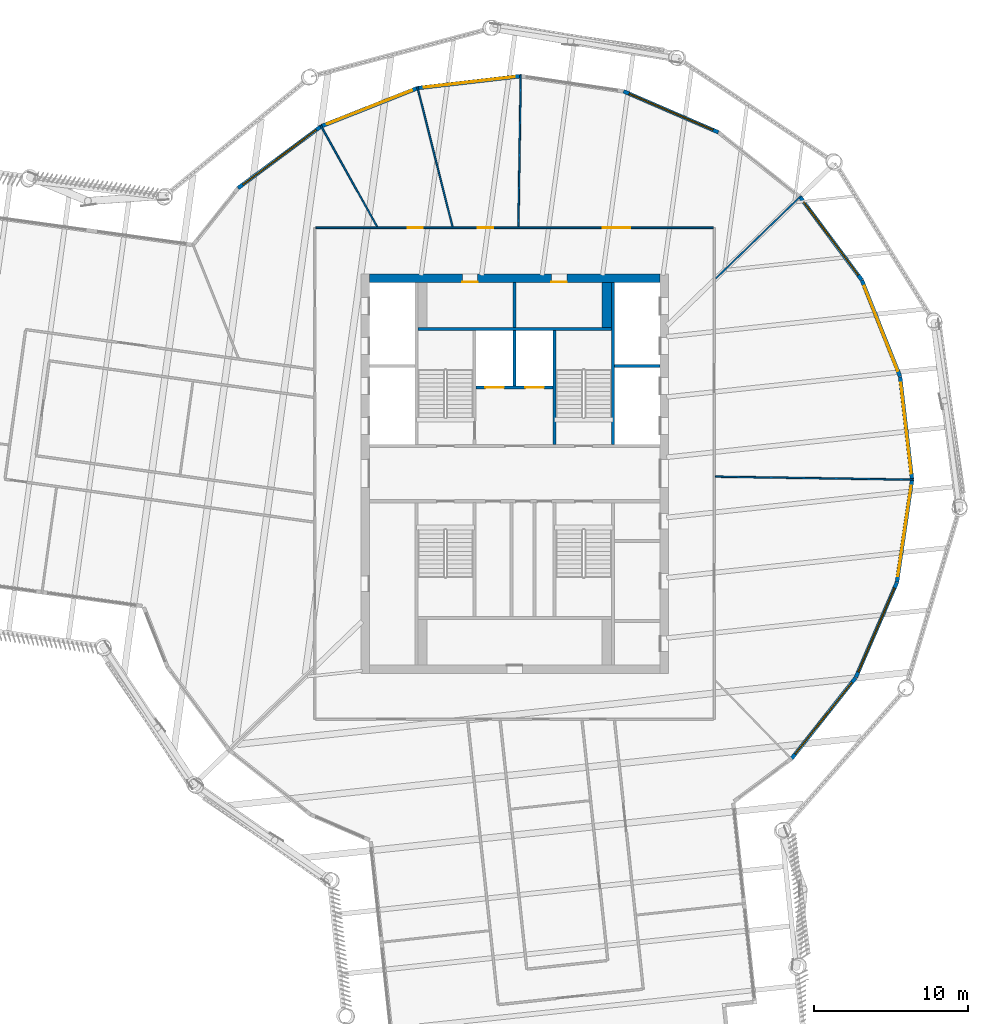
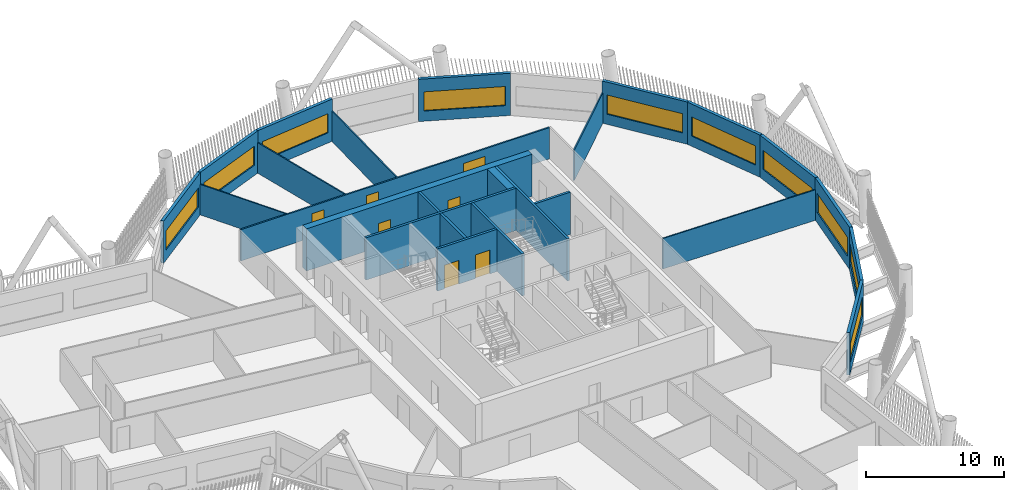
# One storey, part 6 of 21: 25 walls, 10 windows, 7 doors, 17 openings.
"""IFC4 building model written with IfcOpenShell, lengths in metres."""

from ifc_helpers import new_model, si_unit, direction, frame, frame_2d, origin, place, context, subcontext, project, spatial, rectangle, extrude, material, layer, layer_set, type_object, element, fill, save


model = new_model("IFC4")

# Units and contexts
model_context = context("Model", 3, precision=1e-05, world=origin(), true_north=direction((0.0, 1.0)))
body_context = subcontext(model_context, "Body", "Model", "MODEL_VIEW")
ifc_project = project(units=[si_unit("LENGTHUNIT", "METRE"), si_unit("AREAUNIT", "SQUARE_METRE"), si_unit("VOLUMEUNIT", "CUBIC_METRE"), si_unit("PLANEANGLEUNIT", "RADIAN"), si_unit("MASSUNIT", "GRAM", prefix="KILO")], contexts=[model_context])

# Site, building, storey
site_placement = place(None, origin())
site = spatial("IfcSite", under=ifc_project, at=site_placement, CompositionType="ELEMENT")
building_placement = place(site_placement, origin())
building = spatial("IfcBuilding", under=site, at=building_placement, Name="Tarsis Ring Headquarters", CompositionType="ELEMENT")
storey_placement = place(building_placement, frame((0.0, 0.0, 255.199951171875)))
storey = spatial("IfcBuildingStorey", under=building, at=storey_placement, Name="L59", CompositionType="ELEMENT", Elevation=255.199951171875)

# Wall
ifc_material_1 = material(Name="Blockwork", Category="masonry")
ifc_layer_1 = layer(ifc_material_1, 0.199951171875)
ifc_layer_set_1 = layer_set([ifc_layer_1], Name="Core blockwork wall 200")
wall_type_1 = type_object("IfcWallType", Name="Core blockwork wall 200", PredefinedType="PARTITIONING", material=ifc_layer_set_1)
wall_1_placement = place(storey_placement, frame((0.0, 9.5, 0.0), z_axis=(0.0, 0.0, 1.0), x_axis=(0.0, 1.0, 0.0)))
element("IfcWall", 1, at=wall_1_placement, inside=storey, type_object=wall_type_1, Name="Core partition ND2", PredefinedType="PARTITIONING", context=body_context, shape_type="SweptSolid", body=[
    extrude(rectangle(XDim=2.949951171875, YDim=0.199951171875, at=frame_2d((1.47509765625, 0.0))), origin(), (0.0, 0.0, 1.0), 3.739990234375),
])

# Wall, openings, doors
ifc_material_2 = material(Name="Concrete C50/60", Category="concrete")
ifc_layer_2 = layer(ifc_material_2, 0.550048828125)
ifc_layer_set_2 = layer_set([ifc_layer_2], Name="Core wall 550 C50/60")
wall_type_2 = type_object("IfcWallType", Name="Core wall 550 C50/60", PredefinedType="SHEAR", material=ifc_layer_set_2)
wall_2_placement = place(storey_placement, frame((-9.449951171875, 12.72509765625, 0.0), z_axis=(0.0, 0.0, 1.0), x_axis=(1.0, 0.0, 0.0)))
wall_2 = element("IfcWall", 2, at=wall_2_placement, inside=storey, type_object=wall_type_2, Name="Core wall ON", PredefinedType="SHEAR", context=body_context, shape_type="SweptSolid", body=[
    extrude(rectangle(XDim=18.89990234375, YDim=0.550048828125, at=frame_2d((9.449951171875, 0.0))), origin(), (0.0, 0.0, 1.0), 3.739990234375),
])
opening_1_placement = place(wall_2_placement, frame((6.050048828125, 0.0, 0.0)))
opening_1 = element("IfcOpeningElement", 3, at=opening_1_placement, cuts=wall_2, Name="Opening L59-C15", PredefinedType="OPENING", context=body_context, shape_type="SweptSolid", body=[
    extrude(rectangle(XDim=1.0, YDim=2.10009765625, at=frame_2d((0.5, 1.050048828125))), frame((0.0, 0.284912109375, 0.0), z_axis=(0.0, -1.0, 0.0), x_axis=(1.0, 0.0, 0.0)), (0.0, 0.0, 1.0), 0.570068359375),
])
opening_2_placement = place(wall_2_placement, frame((11.85009765625, 0.0, 0.0)))
opening_2 = element("IfcOpeningElement", 4, at=opening_2_placement, cuts=wall_2, Name="Opening L59-C16", PredefinedType="OPENING", context=body_context, shape_type="SweptSolid", body=[
    extrude(rectangle(XDim=1.0, YDim=2.10009765625, at=frame_2d((0.5, 1.050048828125))), frame((0.0, 0.284912109375, 0.0), z_axis=(0.0, -1.0, 0.0), x_axis=(1.0, 0.0, 0.0)), (0.0, 0.0, 1.0), 0.570068359375),
])
ifc_material_3 = material(Name="Steel S355", Category="steel")
door_type_1 = type_object("IfcDoorType", Name="Core room door 1000x2100", OperationType="SINGLE_SWING_LEFT", PredefinedType="DOOR", material=ifc_material_3)
door_1_placement = place(opening_1_placement, origin())
door_1 = element("IfcDoor", 5, at=door_1_placement, inside=storey, type_object=door_type_1, Name="Core room door L59", OperationType="SINGLE_SWING_LEFT", OverallHeight=2.10009765625, OverallWidth=1.0, PredefinedType="DOOR", context=body_context, shape_type="SweptSolid", body=[
    extrude(rectangle(XDim=1.0, YDim=2.10009765625, at=frame_2d((0.5, 1.050048828125))), frame((0.0, -0.22509765625, 0.0), z_axis=(0.0, -1.0, 0.0), x_axis=(1.0, 0.0, 0.0)), (0.0, 0.0, 1.0), 0.050048828125),
])
fill(opening_1, door_1)
door_2_placement = place(opening_2_placement, origin())
door_2 = element("IfcDoor", 6, at=door_2_placement, inside=storey, type_object=door_type_1, Name="Core room door L59", OperationType="SINGLE_SWING_LEFT", OverallHeight=2.10009765625, OverallWidth=1.0, PredefinedType="DOOR", context=body_context, shape_type="SweptSolid", body=[
    extrude(rectangle(XDim=1.0, YDim=2.10009765625, at=frame_2d((0.5, 1.050048828125))), frame((0.0, -0.22509765625, 0.0), z_axis=(0.0, -1.0, 0.0), x_axis=(1.0, 0.0, 0.0)), (0.0, 0.0, 1.0), 0.050048828125),
])
fill(opening_2, door_2)

# Walls
ifc_material_4 = material(Name="Gypsum board on steel studs", Category="steel")
ifc_layer_3 = layer(ifc_material_4, 0.10009765625)
ifc_layer_set_3 = layer_set([ifc_layer_3], Name="FL partition 100 unrated")
wall_type_3 = type_object("IfcWallType", Name="FL partition 100 unrated", PredefinedType="PARTITIONING", material=ifc_layer_set_3)
wall_3_placement = place(storey_placement, frame((13.070068359375, -0.20068359375, 0.0), z_axis=(0.0, 0.0, 1.0), x_axis=(0.999882058865, -0.015358006403, 0.0)))
element("IfcWall", 7, at=wall_3_placement, inside=storey, type_object=wall_type_3, Name="Partition PW3", PredefinedType="PARTITIONING", context=body_context, shape_type="SweptSolid", body=[
    extrude(rectangle(XDim=12.876220703125, YDim=0.10009765625, at=frame_2d((6.43798828125, 0.0))), origin(), (0.0, 0.0, 1.0), 2.699951171875),
])
wall_4_placement = place(storey_placement, frame((0.246826171875, 16.070068359375, 0.0), z_axis=(0.0, 0.0, 1.0), x_axis=(0.015351616177, 0.999882156997, 0.0)))
element("IfcWall", 8, at=wall_4_placement, inside=storey, type_object=wall_type_3, Name="Partition PW3", PredefinedType="PARTITIONING", context=body_context, shape_type="SweptSolid", body=[
    extrude(rectangle(XDim=9.8759765625, YDim=0.10009765625, at=frame_2d((4.93798828125, 0.0))), origin(), (0.0, 0.0, 1.0), 2.699951171875),
])
wall_5_placement = place(storey_placement, frame((-6.330078125, 25.163818359375, 0.0), z_axis=(0.0, 0.0, 1.0), x_axis=(0.243950156774, -0.969787771118, 0.0)))
element("IfcWall", 9, at=wall_5_placement, inside=storey, type_object=wall_type_3, Name="Partition PW3", PredefinedType="PARTITIONING", context=body_context, shape_type="SweptSolid", body=[
    extrude(rectangle(XDim=9.37939453125, YDim=0.10009765625, at=frame_2d((4.689697265625, 0.0))), origin(), (0.0, 0.0, 1.0), 2.699951171875),
])
wall_6_placement = place(storey_placement, frame((13.086181640625, 12.690185546875, 0.0), z_axis=(0.0, 0.0, 1.0), x_axis=(0.717872132276, 0.696174979227, 0.0)))
element("IfcWall", 10, at=wall_6_placement, inside=storey, type_object=wall_type_3, Name="Partition PW3", PredefinedType="PARTITIONING", context=body_context, shape_type="SweptSolid", body=[
    extrude(rectangle(XDim=7.718994140625, YDim=0.10009765625, at=frame_2d((3.859375, 0.0))), origin(), (0.0, 0.0, 1.0), 2.699951171875),
])
wall_7_placement = place(storey_placement, frame((-12.627197265625, 22.668212890625, 0.0), z_axis=(0.0, 0.0, 1.0), x_axis=(0.486631939101, -0.873607094664, 0.0)))
element("IfcWall", 11, at=wall_7_placement, inside=storey, type_object=wall_type_3, Name="Partition PW3", PredefinedType="PARTITIONING", context=body_context, shape_type="SweptSolid", body=[
    extrude(rectangle(XDim=7.54296875, YDim=0.10009765625, at=frame_2d((3.771484375, 0.0))), origin(), (0.0, 0.0, 1.0), 2.699951171875),
])

# Wall, openings, doors
ifc_layer_4 = layer(ifc_material_4, 0.125)
ifc_layer_set_4 = layer_set([ifc_layer_4], Name="FL partition 125 EI 60 H2770")
wall_type_4 = type_object("IfcWallType", Name="FL partition 125 EI 60 H2770", PredefinedType="PARTITIONING", material=ifc_layer_set_4)
wall_8_placement = place(storey_placement, frame((-12.93994140625, 16.0, 0.0), z_axis=(0.0, 0.0, 1.0), x_axis=(1.0, 0.0, 0.0)))
wall_8 = element("IfcWall", 12, at=wall_8_placement, inside=storey, type_object=wall_type_4, Name="Partition PW1", PredefinedType="PARTITIONING", context=body_context, shape_type="SweptSolid", body=[
    extrude(rectangle(XDim=25.8798828125, YDim=0.125, at=frame_2d((12.93994140625, 0.0))), origin(), (0.0, 0.0, 1.0), 2.77001953125),
])
opening_3_placement = place(wall_8_placement, frame((5.97119140625, 0.0, 0.0)))
opening_3 = element("IfcOpeningElement", 13, at=opening_3_placement, cuts=wall_8, Name="Opening D59.04", PredefinedType="OPENING", context=body_context, shape_type="SweptSolid", body=[
    extrude(rectangle(XDim=1.0, YDim=2.10009765625, at=frame_2d((0.5, 1.050048828125))), frame((0.0, 0.072509765625, 0.0), z_axis=(0.0, -1.0, 0.0), x_axis=(1.0, 0.0, 0.0)), (0.0, 0.0, 1.0), 0.14501953125),
])
opening_4_placement = place(wall_8_placement, frame((10.550537109375, 0.0, 0.0)))
opening_4 = element("IfcOpeningElement", 14, at=opening_4_placement, cuts=wall_8, Name="Opening D59.05", PredefinedType="OPENING", context=body_context, shape_type="SweptSolid", body=[
    extrude(rectangle(XDim=1.0, YDim=2.10009765625, at=frame_2d((0.5, 1.050048828125))), frame((0.0, 0.072509765625, 0.0), z_axis=(0.0, -1.0, 0.0), x_axis=(1.0, 0.0, 0.0)), (0.0, 0.0, 1.0), 0.14501953125),
])
opening_5_placement = place(wall_8_placement, frame((18.662841796875, 0.0, 0.0)))
opening_5 = element("IfcOpeningElement", 15, at=opening_5_placement, cuts=wall_8, Name="Opening D59.06", PredefinedType="OPENING", context=body_context, shape_type="SweptSolid", body=[
    extrude(rectangle(XDim=1.800048828125, YDim=2.10009765625, at=frame_2d((0.89990234375, 1.050048828125))), frame((0.0, 0.072509765625, 0.0), z_axis=(0.0, -1.0, 0.0), x_axis=(1.0, 0.0, 0.0)), (0.0, 0.0, 1.0), 0.14501953125),
])
ifc_material_5 = material(Name="Fire-rated timber door leaf in steel frame", Category="steel")
door_type_2 = type_object("IfcDoorType", Name="FL door FD60-1000", OperationType="NOTDEFINED", PredefinedType="DOOR", material=ifc_material_5)
door_3_placement = place(opening_3_placement, origin())
door_3 = element("IfcDoor", 16, at=door_3_placement, inside=storey, type_object=door_type_2, Name="Door D59.04", OperationType="SINGLE_SWING_LEFT", OverallHeight=2.10009765625, OverallWidth=1.0, PredefinedType="DOOR", context=body_context, shape_type="SweptSolid", body=[
    extrude(rectangle(XDim=1.0, YDim=2.10009765625, at=frame_2d((0.5, 1.050048828125))), frame((0.0, 0.02490234375, 0.0), z_axis=(0.0, -1.0, 0.0), x_axis=(1.0, 0.0, 0.0)), (0.0, 0.0, 1.0), 0.050048828125),
])
fill(opening_3, door_3)
door_4_placement = place(opening_4_placement, origin())
door_4 = element("IfcDoor", 17, at=door_4_placement, inside=storey, type_object=door_type_2, Name="Door D59.05", OperationType="SINGLE_SWING_RIGHT", OverallHeight=2.10009765625, OverallWidth=1.0, PredefinedType="DOOR", context=body_context, shape_type="SweptSolid", body=[
    extrude(rectangle(XDim=1.0, YDim=2.10009765625, at=frame_2d((0.5, 1.050048828125))), frame((0.0, 0.02490234375, 0.0), z_axis=(0.0, -1.0, 0.0), x_axis=(1.0, 0.0, 0.0)), (0.0, 0.0, 1.0), 0.050048828125),
])
fill(opening_4, door_4)
door_type_3 = type_object("IfcDoorType", Name="FL door FD60-1800", OperationType="DOUBLE_DOOR_SINGLE_SWING", PredefinedType="DOOR", material=ifc_material_5)
door_5_placement = place(opening_5_placement, origin())
door_5 = element("IfcDoor", 18, at=door_5_placement, inside=storey, type_object=door_type_3, Name="Door D59.06", OperationType="DOUBLE_DOOR_SINGLE_SWING", OverallHeight=2.10009765625, OverallWidth=1.800048828125, PredefinedType="DOOR", context=body_context, shape_type="SweptSolid", body=[
    extrude(rectangle(XDim=1.800048828125, YDim=2.10009765625, at=frame_2d((0.89990234375, 1.050048828125))), frame((0.0, 0.02490234375, 0.0), z_axis=(0.0, -1.0, 0.0), x_axis=(1.0, 0.0, 0.0)), (0.0, 0.0, 1.0), 0.050048828125),
])
fill(opening_5, door_5)

# Wall, opening, window
ifc_material_6 = material(Name="Terracotta clad insulated panel wall", Category="masonry")
ifc_layer_5 = layer(ifc_material_6, 0.25)
ifc_layer_set_5 = layer_set([ifc_layer_5], Name="Facade wall terracotta panel 250")
wall_type_5 = type_object("IfcWallType", Name="Facade wall terracotta panel 250", PredefinedType="STANDARD", material=ifc_layer_set_5)
wall_9_placement = place(storey_placement, frame((18.022705078125, -18.5615234375, 0.0), z_axis=(0.0, 0.0, 1.0), x_axis=(0.620864813543, 0.783917650844, 0.0)))
wall_9 = element("IfcWall", 19, at=wall_9_placement, inside=storey, type_object=wall_type_5, Name="External wall L59-18", PredefinedType="STANDARD", context=body_context, shape_type="SweptSolid", body=[
    extrude(rectangle(XDim=6.721435546875, YDim=0.25, at=frame_2d((3.36083984375, 0.0))), origin(), (0.0, 0.0, 1.0), 3.739990234375),
])
opening_6_placement = place(wall_9_placement, frame((0.3857421875, 0.0, 0.89990234375)))
opening_6 = element("IfcOpeningElement", 20, at=opening_6_placement, cuts=wall_9, Name="Opening WN07", PredefinedType="OPENING", context=body_context, shape_type="SweptSolid", body=[
    extrude(rectangle(XDim=5.949951171875, YDim=1.699951171875, at=frame_2d((2.97509765625, 0.85009765625))), frame((0.0, 0.135009765625, 0.0), z_axis=(0.0, -1.0, 0.0), x_axis=(1.0, 0.0, 0.0)), (0.0, 0.0, 1.0), 0.27001953125),
])
ifc_material_7 = material(Name="Aluminium framed double glazing", Category="aluminium")
window_type = type_object("IfcWindowType", Name="Facade window 5950 x 1700", PartitioningType="SINGLE_PANEL", PredefinedType="WINDOW", material=ifc_material_7)
window_1_placement = place(opening_6_placement, origin())
window_1 = element("IfcWindow", 21, at=window_1_placement, inside=storey, type_object=window_type, Name="Window L59-18.1", OverallHeight=1.699951171875, OverallWidth=5.949951171875, PartitioningType="SINGLE_PANEL", PredefinedType="WINDOW", context=body_context, shape_type="SweptSolid", body=[
    extrude(rectangle(XDim=5.949951171875, YDim=1.699951171875, at=frame_2d((2.97509765625, 0.85009765625))), frame((0.0, 0.030029296875, 0.0), z_axis=(0.0, -1.0, 0.0), x_axis=(1.0, 0.0, 0.0)), (0.0, 0.0, 1.0), 0.06005859375),
])
fill(opening_6, window_1)

wall_10_placement = place(storey_placement, frame((22.212646484375, -13.264404296875, 0.0), z_axis=(0.0, 0.0, 1.0), x_axis=(0.39681934869, 0.917896728671, 0.0)))
wall_10 = element("IfcWall", 22, at=wall_10_placement, inside=storey, type_object=wall_type_5, Name="External wall L59-19", PredefinedType="STANDARD", context=body_context, shape_type="SweptSolid", body=[
    extrude(rectangle(XDim=6.721435546875, YDim=0.25, at=frame_2d((3.36083984375, 0.0))), origin(), (0.0, 0.0, 1.0), 3.739990234375),
])
opening_7_placement = place(wall_10_placement, frame((0.3857421875, 0.0, 0.89990234375)))
opening_7 = element("IfcOpeningElement", 23, at=opening_7_placement, cuts=wall_10, Name="Opening WN07", PredefinedType="OPENING", context=body_context, shape_type="SweptSolid", body=[
    extrude(rectangle(XDim=5.949951171875, YDim=1.699951171875, at=frame_2d((2.97509765625, 0.85009765625))), frame((0.0, 0.135009765625, 0.0), z_axis=(0.0, -1.0, 0.0), x_axis=(1.0, 0.0, 0.0)), (0.0, 0.0, 1.0), 0.27001953125),
])
window_2_placement = place(opening_7_placement, origin())
window_2 = element("IfcWindow", 24, at=window_2_placement, inside=storey, type_object=window_type, Name="Window L59-19.1", OverallHeight=1.699951171875, OverallWidth=5.949951171875, PartitioningType="SINGLE_PANEL", PredefinedType="WINDOW", context=body_context, shape_type="SweptSolid", body=[
    extrude(rectangle(XDim=5.949951171875, YDim=1.699951171875, at=frame_2d((2.97509765625, 0.85009765625))), frame((0.0, 0.030029296875, 0.0), z_axis=(0.0, -1.0, 0.0), x_axis=(1.0, 0.0, 0.0)), (0.0, 0.0, 1.0), 0.06005859375),
])
fill(opening_7, window_2)

wall_11_placement = place(storey_placement, frame((24.888916015625, -7.0634765625, 0.0), z_axis=(0.0, 0.0, 1.0), x_axis=(0.145721941851, 0.989325586277, 0.0)))
wall_11 = element("IfcWall", 25, at=wall_11_placement, inside=storey, type_object=wall_type_5, Name="External wall L59-20", PredefinedType="STANDARD", context=body_context, shape_type="SweptSolid", body=[
    extrude(rectangle(XDim=6.7216796875, YDim=0.25, at=frame_2d((3.36083984375, 0.0))), origin(), (0.0, 0.0, 1.0), 3.739990234375),
])
opening_8_placement = place(wall_11_placement, frame((0.3857421875, 0.0, 0.89990234375)))
opening_8 = element("IfcOpeningElement", 26, at=opening_8_placement, cuts=wall_11, Name="Opening WN07", PredefinedType="OPENING", context=body_context, shape_type="SweptSolid", body=[
    extrude(rectangle(XDim=5.949951171875, YDim=1.699951171875, at=frame_2d((2.97509765625, 0.85009765625))), frame((0.0, 0.135009765625, 0.0), z_axis=(0.0, -1.0, 0.0), x_axis=(1.0, 0.0, 0.0)), (0.0, 0.0, 1.0), 0.27001953125),
])
window_3_placement = place(opening_8_placement, origin())
window_3 = element("IfcWindow", 27, at=window_3_placement, inside=storey, type_object=window_type, Name="Window L59-20.1", OverallHeight=1.699951171875, OverallWidth=5.949951171875, PartitioningType="SINGLE_PANEL", PredefinedType="WINDOW", context=body_context, shape_type="SweptSolid", body=[
    extrude(rectangle(XDim=5.949951171875, YDim=1.699951171875, at=frame_2d((2.97509765625, 0.85009765625))), frame((0.0, 0.030029296875, 0.0), z_axis=(0.0, -1.0, 0.0), x_axis=(1.0, 0.0, 0.0)), (0.0, 0.0, 1.0), 0.06005859375),
])
fill(opening_8, window_3)

wall_12_placement = place(storey_placement, frame((25.868896484375, -0.381103515625, 0.0), z_axis=(0.0, 0.0, 1.0), x_axis=(-0.115285831146, 0.993332359856, 0.0)))
wall_12 = element("IfcWall", 28, at=wall_12_placement, inside=storey, type_object=wall_type_5, Name="External wall L59-21", PredefinedType="STANDARD", context=body_context, shape_type="SweptSolid", body=[
    extrude(rectangle(XDim=6.7216796875, YDim=0.25, at=frame_2d((3.36083984375, 0.0))), origin(), (0.0, 0.0, 1.0), 3.739990234375),
])
opening_9_placement = place(wall_12_placement, frame((0.3857421875, 0.0, 0.89990234375)))
opening_9 = element("IfcOpeningElement", 29, at=opening_9_placement, cuts=wall_12, Name="Opening WN07", PredefinedType="OPENING", context=body_context, shape_type="SweptSolid", body=[
    extrude(rectangle(XDim=5.949951171875, YDim=1.699951171875, at=frame_2d((2.97509765625, 0.85009765625))), frame((0.0, 0.135009765625, 0.0), z_axis=(0.0, -1.0, 0.0), x_axis=(1.0, 0.0, 0.0)), (0.0, 0.0, 1.0), 0.27001953125),
])
window_4_placement = place(opening_9_placement, origin())
window_4 = element("IfcWindow", 30, at=window_4_placement, inside=storey, type_object=window_type, Name="Window L59-21.1", OverallHeight=1.699951171875, OverallWidth=5.949951171875, PartitioningType="SINGLE_PANEL", PredefinedType="WINDOW", context=body_context, shape_type="SweptSolid", body=[
    extrude(rectangle(XDim=5.949951171875, YDim=1.699951171875, at=frame_2d((2.97509765625, 0.85009765625))), frame((0.0, 0.030029296875, 0.0), z_axis=(0.0, -1.0, 0.0), x_axis=(1.0, 0.0, 0.0)), (0.0, 0.0, 1.0), 0.06005859375),
])
fill(opening_9, window_4)

wall_13_placement = place(storey_placement, frame((25.086181640625, 6.327392578125, 0.0), z_axis=(0.0, 0.0, 1.0), x_axis=(-0.368457955994, 0.929644413023, 0.0)))
wall_13 = element("IfcWall", 31, at=wall_13_placement, inside=storey, type_object=wall_type_5, Name="External wall L59-22", PredefinedType="STANDARD", context=body_context, shape_type="SweptSolid", body=[
    extrude(rectangle(XDim=6.721435546875, YDim=0.25, at=frame_2d((3.36083984375, 0.0))), origin(), (0.0, 0.0, 1.0), 3.739990234375),
])
opening_10_placement = place(wall_13_placement, frame((0.3857421875, 0.0, 0.89990234375)))
opening_10 = element("IfcOpeningElement", 32, at=opening_10_placement, cuts=wall_13, Name="Opening WN07", PredefinedType="OPENING", context=body_context, shape_type="SweptSolid", body=[
    extrude(rectangle(XDim=5.949951171875, YDim=1.699951171875, at=frame_2d((2.97509765625, 0.85009765625))), frame((0.0, 0.135009765625, 0.0), z_axis=(0.0, -1.0, 0.0), x_axis=(1.0, 0.0, 0.0)), (0.0, 0.0, 1.0), 0.27001953125),
])
window_5_placement = place(opening_10_placement, origin())
window_5 = element("IfcWindow", 33, at=window_5_placement, inside=storey, type_object=window_type, Name="Window L59-22.1", OverallHeight=1.699951171875, OverallWidth=5.949951171875, PartitioningType="SINGLE_PANEL", PredefinedType="WINDOW", context=body_context, shape_type="SweptSolid", body=[
    extrude(rectangle(XDim=5.949951171875, YDim=1.699951171875, at=frame_2d((2.97509765625, 0.85009765625))), frame((0.0, 0.030029296875, 0.0), z_axis=(0.0, -1.0, 0.0), x_axis=(1.0, 0.0, 0.0)), (0.0, 0.0, 1.0), 0.06005859375),
])
fill(opening_10, window_5)

wall_14_placement = place(storey_placement, frame((22.59375, 12.6044921875, 0.0), z_axis=(0.0, 0.0, 1.0), x_axis=(-0.596513236538, 0.802603238615, 0.0)))
wall_14 = element("IfcWall", 34, at=wall_14_placement, inside=storey, type_object=wall_type_5, Name="External wall L59-23", PredefinedType="STANDARD", context=body_context, shape_type="SweptSolid", body=[
    extrude(rectangle(XDim=6.7216796875, YDim=0.25, at=frame_2d((3.36083984375, 0.0))), origin(), (0.0, 0.0, 1.0), 3.739990234375),
])
opening_11_placement = place(wall_14_placement, frame((0.3857421875, 0.0, 0.89990234375)))
opening_11 = element("IfcOpeningElement", 35, at=opening_11_placement, cuts=wall_14, Name="Opening WN07", PredefinedType="OPENING", context=body_context, shape_type="SweptSolid", body=[
    extrude(rectangle(XDim=5.949951171875, YDim=1.699951171875, at=frame_2d((2.97509765625, 0.85009765625))), frame((0.0, 0.135009765625, 0.0), z_axis=(0.0, -1.0, 0.0), x_axis=(1.0, 0.0, 0.0)), (0.0, 0.0, 1.0), 0.27001953125),
])
window_6_placement = place(opening_11_placement, origin())
window_6 = element("IfcWindow", 36, at=window_6_placement, inside=storey, type_object=window_type, Name="Window L59-23.1", OverallHeight=1.699951171875, OverallWidth=5.949951171875, PartitioningType="SINGLE_PANEL", PredefinedType="WINDOW", context=body_context, shape_type="SweptSolid", body=[
    extrude(rectangle(XDim=5.949951171875, YDim=1.699951171875, at=frame_2d((2.97509765625, 0.85009765625))), frame((0.0, 0.030029296875, 0.0), z_axis=(0.0, -1.0, 0.0), x_axis=(1.0, 0.0, 0.0)), (0.0, 0.0, 1.0), 0.06005859375),
])
fill(opening_11, window_6)

wall_15_placement = place(storey_placement, frame((13.264404296875, 22.212646484375, 0.0), z_axis=(0.0, 0.0, 1.0), x_axis=(-0.917896728671, 0.39681934869, 0.0)))
wall_15 = element("IfcWall", 37, at=wall_15_placement, inside=storey, type_object=wall_type_5, Name="External wall L59-25", PredefinedType="STANDARD", context=body_context, shape_type="SweptSolid", body=[
    extrude(rectangle(XDim=6.721435546875, YDim=0.25, at=frame_2d((3.36083984375, 0.0))), origin(), (0.0, 0.0, 1.0), 3.739990234375),
])
opening_12_placement = place(wall_15_placement, frame((0.3857421875, 0.0, 0.89990234375)))
opening_12 = element("IfcOpeningElement", 38, at=opening_12_placement, cuts=wall_15, Name="Opening WN07", PredefinedType="OPENING", context=body_context, shape_type="SweptSolid", body=[
    extrude(rectangle(XDim=5.949951171875, YDim=1.699951171875, at=frame_2d((2.97509765625, 0.85009765625))), frame((0.0, 0.135009765625, 0.0), z_axis=(0.0, -1.0, 0.0), x_axis=(1.0, 0.0, 0.0)), (0.0, 0.0, 1.0), 0.27001953125),
])
window_7_placement = place(opening_12_placement, origin())
window_7 = element("IfcWindow", 39, at=window_7_placement, inside=storey, type_object=window_type, Name="Window L59-25.1", OverallHeight=1.699951171875, OverallWidth=5.949951171875, PartitioningType="SINGLE_PANEL", PredefinedType="WINDOW", context=body_context, shape_type="SweptSolid", body=[
    extrude(rectangle(XDim=5.949951171875, YDim=1.699951171875, at=frame_2d((2.97509765625, 0.85009765625))), frame((0.0, 0.030029296875, 0.0), z_axis=(0.0, -1.0, 0.0), x_axis=(1.0, 0.0, 0.0)), (0.0, 0.0, 1.0), 0.06005859375),
])
fill(opening_12, window_7)

wall_16_placement = place(storey_placement, frame((0.381103515625, 25.868896484375, 0.0), z_axis=(0.0, 0.0, 1.0), x_axis=(-0.993332359856, -0.115285831146, 0.0)))
wall_16 = element("IfcWall", 40, at=wall_16_placement, inside=storey, type_object=wall_type_5, Name="External wall L59-27", PredefinedType="STANDARD", context=body_context, shape_type="SweptSolid", body=[
    extrude(rectangle(XDim=6.7216796875, YDim=0.25, at=frame_2d((3.36083984375, 0.0))), origin(), (0.0, 0.0, 1.0), 3.739990234375),
])
opening_13_placement = place(wall_16_placement, frame((0.3857421875, 0.0, 0.89990234375)))
opening_13 = element("IfcOpeningElement", 41, at=opening_13_placement, cuts=wall_16, Name="Opening WN07", PredefinedType="OPENING", context=body_context, shape_type="SweptSolid", body=[
    extrude(rectangle(XDim=5.949951171875, YDim=1.699951171875, at=frame_2d((2.97509765625, 0.85009765625))), frame((0.0, 0.135009765625, 0.0), z_axis=(0.0, -1.0, 0.0), x_axis=(1.0, 0.0, 0.0)), (0.0, 0.0, 1.0), 0.27001953125),
])
window_8_placement = place(opening_13_placement, origin())
window_8 = element("IfcWindow", 42, at=window_8_placement, inside=storey, type_object=window_type, Name="Window L59-27.1", OverallHeight=1.699951171875, OverallWidth=5.949951171875, PartitioningType="SINGLE_PANEL", PredefinedType="WINDOW", context=body_context, shape_type="SweptSolid", body=[
    extrude(rectangle(XDim=5.949951171875, YDim=1.699951171875, at=frame_2d((2.97509765625, 0.85009765625))), frame((0.0, 0.030029296875, 0.0), z_axis=(0.0, -1.0, 0.0), x_axis=(1.0, 0.0, 0.0)), (0.0, 0.0, 1.0), 0.06005859375),
])
fill(opening_13, window_8)

wall_17_placement = place(storey_placement, frame((-6.327392578125, 25.086181640625, 0.0), z_axis=(0.0, 0.0, 1.0), x_axis=(-0.929644413023, -0.368457955994, 0.0)))
wall_17 = element("IfcWall", 43, at=wall_17_placement, inside=storey, type_object=wall_type_5, Name="External wall L59-28", PredefinedType="STANDARD", context=body_context, shape_type="SweptSolid", body=[
    extrude(rectangle(XDim=6.721435546875, YDim=0.25, at=frame_2d((3.36083984375, 0.0))), origin(), (0.0, 0.0, 1.0), 3.739990234375),
])
opening_14_placement = place(wall_17_placement, frame((0.3857421875, 0.0, 0.89990234375)))
opening_14 = element("IfcOpeningElement", 44, at=opening_14_placement, cuts=wall_17, Name="Opening WN07", PredefinedType="OPENING", context=body_context, shape_type="SweptSolid", body=[
    extrude(rectangle(XDim=5.949951171875, YDim=1.699951171875, at=frame_2d((2.97509765625, 0.85009765625))), frame((0.0, 0.135009765625, 0.0), z_axis=(0.0, -1.0, 0.0), x_axis=(1.0, 0.0, 0.0)), (0.0, 0.0, 1.0), 0.27001953125),
])
window_9_placement = place(opening_14_placement, origin())
window_9 = element("IfcWindow", 45, at=window_9_placement, inside=storey, type_object=window_type, Name="Window L59-28.1", OverallHeight=1.699951171875, OverallWidth=5.949951171875, PartitioningType="SINGLE_PANEL", PredefinedType="WINDOW", context=body_context, shape_type="SweptSolid", body=[
    extrude(rectangle(XDim=5.949951171875, YDim=1.699951171875, at=frame_2d((2.97509765625, 0.85009765625))), frame((0.0, 0.030029296875, 0.0), z_axis=(0.0, -1.0, 0.0), x_axis=(1.0, 0.0, 0.0)), (0.0, 0.0, 1.0), 0.06005859375),
])
fill(opening_14, window_9)

wall_18_placement = place(storey_placement, frame((-12.6044921875, 22.59375, 0.0), z_axis=(0.0, 0.0, 1.0), x_axis=(-0.802603238615, -0.596513236538, 0.0)))
wall_18 = element("IfcWall", 46, at=wall_18_placement, inside=storey, type_object=wall_type_5, Name="External wall L59-29", PredefinedType="STANDARD", context=body_context, shape_type="SweptSolid", body=[
    extrude(rectangle(XDim=6.7216796875, YDim=0.25, at=frame_2d((3.36083984375, 0.0))), origin(), (0.0, 0.0, 1.0), 3.739990234375),
])
opening_15_placement = place(wall_18_placement, frame((0.3857421875, 0.0, 0.89990234375)))
opening_15 = element("IfcOpeningElement", 47, at=opening_15_placement, cuts=wall_18, Name="Opening WN07", PredefinedType="OPENING", context=body_context, shape_type="SweptSolid", body=[
    extrude(rectangle(XDim=5.949951171875, YDim=1.699951171875, at=frame_2d((2.97509765625, 0.85009765625))), frame((0.0, 0.135009765625, 0.0), z_axis=(0.0, -1.0, 0.0), x_axis=(1.0, 0.0, 0.0)), (0.0, 0.0, 1.0), 0.27001953125),
])
window_10_placement = place(opening_15_placement, origin())
window_10 = element("IfcWindow", 48, at=window_10_placement, inside=storey, type_object=window_type, Name="Window L59-29.1", OverallHeight=1.699951171875, OverallWidth=5.949951171875, PartitioningType="SINGLE_PANEL", PredefinedType="WINDOW", context=body_context, shape_type="SweptSolid", body=[
    extrude(rectangle(XDim=5.949951171875, YDim=1.699951171875, at=frame_2d((2.97509765625, 0.85009765625))), frame((0.0, 0.030029296875, 0.0), z_axis=(0.0, -1.0, 0.0), x_axis=(1.0, 0.0, 0.0)), (0.0, 0.0, 1.0), 0.06005859375),
])
fill(opening_15, window_10)

# Walls
ifc_material_8 = material(Name="Concrete C32/40", Category="concrete")
ifc_layer_6 = layer(ifc_material_8, 0.60009765625)
ifc_layer_set_6 = layer_set([ifc_layer_6], Name="Shaft end wall 600 C32/40")
wall_type_6 = type_object("IfcWallType", Name="Shaft end wall 600 C32/40", PredefinedType="SOLIDWALL", material=ifc_layer_set_6)
wall_19_placement = place(storey_placement, frame((6.0, 9.5, 0.0), z_axis=(0.0, 0.0, 1.0), x_axis=(0.0, 1.0, 0.0)))
element("IfcWall", 49, at=wall_19_placement, inside=storey, type_object=wall_type_6, Name="Core shaft wall NNE2", PredefinedType="SOLIDWALL", context=body_context, shape_type="SweptSolid", body=[
    extrude(rectangle(XDim=2.949951171875, YDim=0.60009765625, at=frame_2d((1.47509765625, 0.0))), origin(), (0.0, 0.0, 1.0), 3.739990234375),
])
ifc_layer_7 = layer(ifc_material_8, 0.199951171875)
ifc_layer_set_7 = layer_set([ifc_layer_7], Name="Shaft wall 200 C32/40")
wall_type_7 = type_object("IfcWallType", Name="Shaft wall 200 C32/40", PredefinedType="SOLIDWALL", material=ifc_layer_set_7)
wall_20_placement = place(storey_placement, frame((6.39990234375, 1.89990234375, 0.0), z_axis=(0.0, 0.0, 1.0), x_axis=(0.0, 1.0, 0.0)))
element("IfcWall", 50, at=wall_20_placement, inside=storey, type_object=wall_type_7, Name="Core shaft wall EB2", PredefinedType="SOLIDWALL", context=body_context, shape_type="SweptSolid", body=[
    extrude(rectangle(XDim=10.550048828125, YDim=0.199951171875, at=frame_2d((5.27490234375, 0.0))), origin(), (0.0, 0.0, 1.0), 3.739990234375),
])
wall_21_placement = place(storey_placement, frame((-6.300048828125, 9.39990234375, 0.0), z_axis=(0.0, 0.0, 1.0), x_axis=(1.0, 0.0, 0.0)))
element("IfcWall", 51, at=wall_21_placement, inside=storey, type_object=wall_type_7, Name="Core shaft wall NB", PredefinedType="SOLIDWALL", context=body_context, shape_type="SweptSolid", body=[
    extrude(rectangle(XDim=12.60009765625, YDim=0.199951171875, at=frame_2d((6.300048828125, 0.0))), origin(), (0.0, 0.0, 1.0), 3.739990234375),
])
wall_22_placement = place(storey_placement, frame((2.60009765625, 1.89990234375, 0.0), z_axis=(0.0, 0.0, 1.0), x_axis=(0.0, 1.0, 0.0)))
element("IfcWall", 52, at=wall_22_placement, inside=storey, type_object=wall_type_7, Name="Core shaft wall SW2", PredefinedType="SOLIDWALL", context=body_context, shape_type="SweptSolid", body=[
    extrude(rectangle(XDim=7.400146484375, YDim=0.199951171875, at=frame_2d((3.7001953125, 0.0))), origin(), (0.0, 0.0, 1.0), 3.739990234375),
])

# Wall, openings, doors
wall_23_placement = place(storey_placement, frame((-2.5, 5.60009765625, 0.0), z_axis=(0.0, 0.0, 1.0), x_axis=(1.0, 0.0, 0.0)))
wall_23 = element("IfcWall", 53, at=wall_23_placement, inside=storey, type_object=wall_type_7, Name="Core shaft wall FFN", PredefinedType="SOLIDWALL", context=body_context, shape_type="SweptSolid", body=[
    extrude(rectangle(XDim=5.0, YDim=0.199951171875, at=frame_2d((2.5, 0.0))), origin(), (0.0, 0.0, 1.0), 3.739990234375),
])
opening_16_placement = place(wall_23_placement, frame((0.60009765625, 0.0, 0.0)))
opening_16 = element("IfcOpeningElement", 54, at=opening_16_placement, cuts=wall_23, Name="Opening LDF-1", PredefinedType="OPENING", context=body_context, shape_type="SweptSolid", body=[
    extrude(rectangle(XDim=1.199951171875, YDim=2.10009765625, at=frame_2d((0.60009765625, 1.050048828125))), frame((0.0, 0.10986328125, 0.0), z_axis=(0.0, -1.0, 0.0), x_axis=(1.0, 0.0, 0.0)), (0.0, 0.0, 1.0), 0.219970703125),
])
opening_17_placement = place(wall_23_placement, frame((3.199951171875, 0.0, 0.0)))
opening_17 = element("IfcOpeningElement", 55, at=opening_17_placement, cuts=wall_23, Name="Opening LDF-2", PredefinedType="OPENING", context=body_context, shape_type="SweptSolid", body=[
    extrude(rectangle(XDim=1.199951171875, YDim=2.10009765625, at=frame_2d((0.60009765625, 1.050048828125))), frame((0.0, 0.10986328125, 0.0), z_axis=(0.0, -1.0, 0.0), x_axis=(1.0, 0.0, 0.0)), (0.0, 0.0, 1.0), 0.219970703125),
])
door_type_4 = type_object("IfcDoorType", Name="Firefighting landing door 1200x2100", OperationType="SLIDING_TO_LEFT", PredefinedType="DOOR", material=ifc_material_3)
door_6_placement = place(opening_16_placement, origin())
door_6 = element("IfcDoor", 56, at=door_6_placement, inside=storey, type_object=door_type_4, Name="Landing door FF1 L59", OperationType="SLIDING_TO_LEFT", OverallHeight=2.10009765625, OverallWidth=1.199951171875, PredefinedType="DOOR", context=body_context, shape_type="SweptSolid", body=[
    extrude(rectangle(XDim=1.199951171875, YDim=2.10009765625, at=frame_2d((0.60009765625, 1.050048828125))), frame((0.0, 0.02490234375, 0.0), z_axis=(0.0, -1.0, 0.0), x_axis=(1.0, 0.0, 0.0)), (0.0, 0.0, 1.0), 0.050048828125),
])
fill(opening_16, door_6)
door_7_placement = place(opening_17_placement, origin())
door_7 = element("IfcDoor", 57, at=door_7_placement, inside=storey, type_object=door_type_4, Name="Landing door FF2 L59", OperationType="SLIDING_TO_LEFT", OverallHeight=2.10009765625, OverallWidth=1.199951171875, PredefinedType="DOOR", context=body_context, shape_type="SweptSolid", body=[
    extrude(rectangle(XDim=1.199951171875, YDim=2.10009765625, at=frame_2d((0.60009765625, 1.050048828125))), frame((0.0, 0.02490234375, 0.0), z_axis=(0.0, -1.0, 0.0), x_axis=(1.0, 0.0, 0.0)), (0.0, 0.0, 1.0), 0.050048828125),
])
fill(opening_17, door_7)

# Walls
wall_24_placement = place(storey_placement, frame((0.0, 5.699951171875, 0.0), z_axis=(0.0, 0.0, 1.0), x_axis=(0.0, 1.0, 0.0)))
element("IfcWall", 58, at=wall_24_placement, inside=storey, type_object=wall_type_7, Name="Core shaft wall FFD", PredefinedType="SOLIDWALL", context=body_context, shape_type="SweptSolid", body=[
    extrude(rectangle(XDim=3.60009765625, YDim=0.199951171875, at=frame_2d((1.800048828125, 0.0))), origin(), (0.0, 0.0, 1.0), 3.739990234375),
])
wall_25_placement = place(storey_placement, frame((6.5, 7.0, 0.0), z_axis=(0.0, 0.0, 1.0), x_axis=(1.0, 0.0, 0.0)))
element("IfcWall", 59, at=wall_25_placement, inside=storey, type_object=wall_type_7, Name="Core shaft wall ED6", PredefinedType="SOLIDWALL", context=body_context, shape_type="SweptSolid", body=[
    extrude(rectangle(XDim=2.949951171875, YDim=0.199951171875, at=frame_2d((1.47509765625, 0.0))), origin(), (0.0, 0.0, 1.0), 3.739990234375),
])

save(model, "model.ifc")
